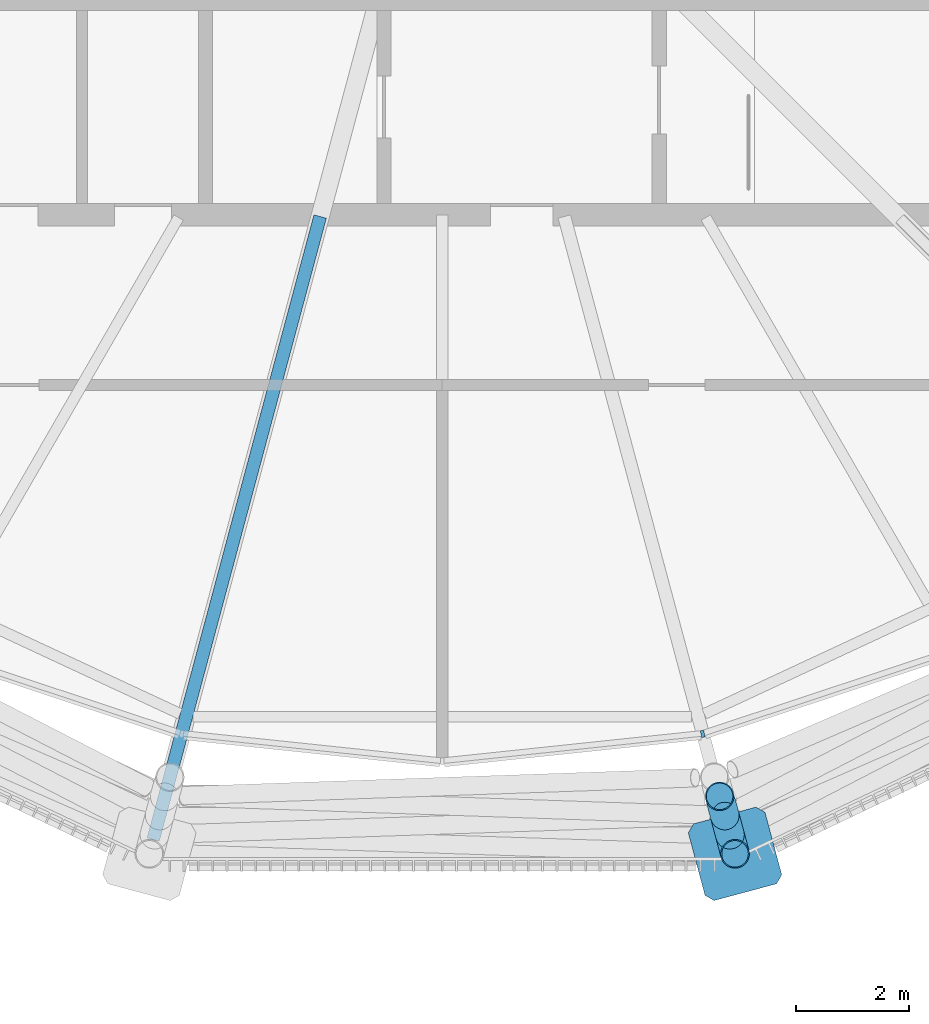
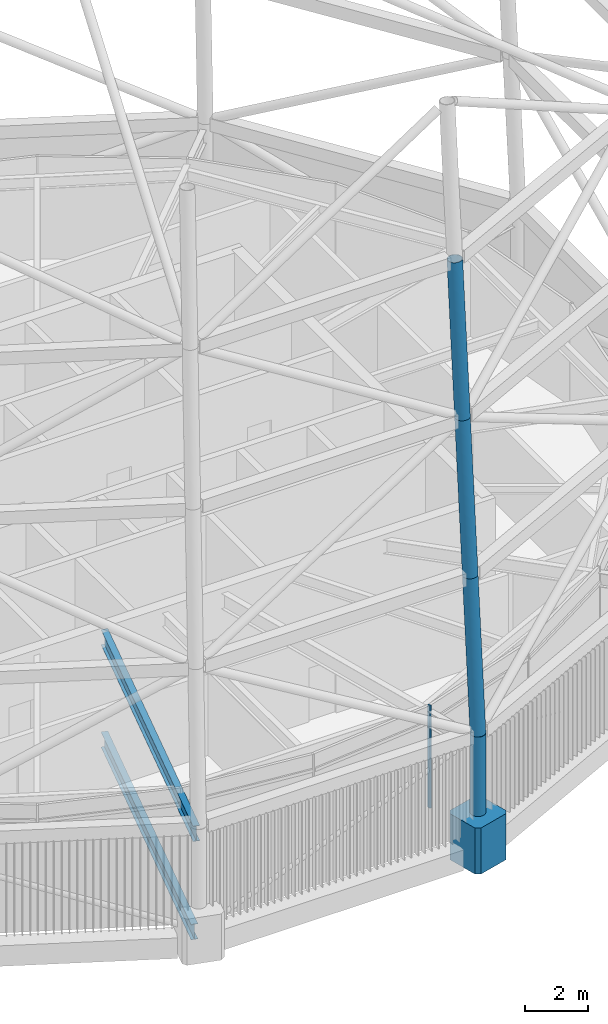
# One storey, part 9 of 71: 6 members, 2 beams, 1 element without a shape of its own.
"""IFC4 building model written with IfcOpenShell, lengths in metres."""

from ifc_helpers import new_model, si_unit, direction, frame, origin, origin_2d, place, context, subcontext, project, spatial, polyline, rectangle, hollow_circle, i_section, outline, extrude, material, material_profile, profile_set, type_object, element, aggregate, save


model = new_model("IFC4")

# Units and contexts
model_context = context("Model", 3, precision=1e-05, world=origin(), true_north=direction((0.0, 1.0)))
body_context = subcontext(model_context, "Body", "Model", "MODEL_VIEW")
ifc_project = project(units=[si_unit("LENGTHUNIT", "METRE"), si_unit("AREAUNIT", "SQUARE_METRE"), si_unit("VOLUMEUNIT", "CUBIC_METRE"), si_unit("PLANEANGLEUNIT", "RADIAN"), si_unit("MASSUNIT", "GRAM", prefix="KILO")], contexts=[model_context])

# Site, building, storey
site_placement = place(None, origin())
site = spatial("IfcSite", under=ifc_project, at=site_placement, CompositionType="ELEMENT")
building_placement = place(site_placement, origin())
building = spatial("IfcBuilding", under=site, at=building_placement, Name="Rimbun Link Towers", CompositionType="ELEMENT")
storey_placement = place(building_placement, frame((0.0, 0.0, 267.60009765625)))
storey = spatial("IfcBuildingStorey", under=building, at=storey_placement, Name="L65", CompositionType="ELEMENT", Elevation=267.60009765625)

# Curtain wall, member
ifc_material_1 = material(Name="Aluminium 6063-T6 louvre wall", Category="aluminium")
curtain_wall_type = type_object("IfcCurtainWallType", Name="CW6 plant floor louvre wall", PredefinedType="NOTDEFINED", material=ifc_material_1)
curtain_wall_placement = place(storey_placement, origin())
curtain_wall = element("IfcCurtainWall", 1, at=curtain_wall_placement, inside=storey, type_object=curtain_wall_type, Name="CW6 L65 T1", PredefinedType="NOTDEFINED")
ifc_material_2 = material(Name="Aluminium 6063-T6", Category="aluminium")
ifc_material_profile_1 = material_profile(ifc_material_2, rectangle(XDim=0.1201171875, YDim=0.06005859375, at=origin_2d()), Name="MULLION 60X120")
ifc_profile_set_1 = profile_set([ifc_material_profile_1], Name="Aluminium 6063-T6")
member_type_1 = type_object("IfcMemberType", Name="CW6 mullion 60X120", PredefinedType="MULLION", material=ifc_profile_set_1)
member_1_placement = place(storey_placement, frame((-27.1572265625, -17.151611328125, 0.0), z_axis=(0.0, 0.0, 1.0), x_axis=(0.210863236685, -0.977515572978, 0.0)))
member_1 = element("IfcMember", 2, at=member_1_placement, type_object=member_type_1, Name="CW6 mullion", PredefinedType="MULLION", context=body_context, shape_type="SweptSolid", body=[
    extrude(rectangle(XDim=0.1201171875, YDim=0.06005859375, at=origin_2d()), origin(), (0.0, 0.0, 1.0), 4.0),
])
aggregate(curtain_wall, [member_1])

# Members
ifc_material_3 = material(Name="Steel S355J2H", Category="steel")
ifc_material_profile_2 = material_profile(ifc_material_3, hollow_circle(Radius=0.25390625, WallThickness=0.02001953125, at=origin_2d()), Name="Crown frame post CHS 508x20")
ifc_profile_set_2 = profile_set([ifc_material_profile_2], Name="Steel S355J2H")
member_type_2 = type_object("IfcMemberType", Name="Crown frame post CHS 508x20", PredefinedType="POST", material=ifc_profile_set_2)
member_2_placement = place(storey_placement, frame((-26.587646484375, -19.266357421875, 0.0), z_axis=(0.0, 0.0, 1.0), x_axis=(1.0, 0.0, 0.0)))
element("IfcMember", 3, at=member_2_placement, inside=storey, type_object=member_type_2, Name="CROWN FRAME post T1 1-09", PredefinedType="POST", context=body_context, shape_type="SweptSolid", body=[
    extrude(hollow_circle(Radius=0.25390625, WallThickness=0.02001953125, at=origin_2d()), origin(), (0.0, 0.0, 1.0), 4.0),
])
for number, where, z_axis, x_axis, name in (
    (4, (-26.587646484375, -19.266357421875, 4.0), (-0.015070401624, 0.056260124661, 0.998302399761), (-0.965944938819, -0.258747705633, 0.0), "CROWN FRAME post T1 2-09"),
    (5, (-26.67822265625, -18.92822265625, 10.0), (-0.015070401624, 0.056260124661, 0.998302399761), (-0.965944938819, -0.258747705633, 0.0), "CROWN FRAME post T1 3-09"),
    (6, (-26.768798828125, -18.590087890625, 16.0), (-0.015070436053, 0.056219632067, 0.998304680409), (-0.96589819818, -0.258922132605, 0.0), "CROWN FRAME post T1 4-09"),
):
    element("IfcMember", number, at=place(storey_placement, frame(where, z_axis=z_axis, x_axis=x_axis)), inside=storey, type_object=member_type_2, Name=name, PredefinedType="POST", context=body_context, shape_type="SweptSolid", body=[
        extrude(hollow_circle(Radius=0.25390625, WallThickness=0.02001953125, at=origin_2d()), origin(), (0.0, 0.0, 1.0), 6.01025390625),
    ])
ifc_material_4 = material(Name="Cast steel G20Mn5+QT, Rp0.2 300 MPa", Category="steel")
ifc_material_profile_3 = material_profile(ifc_material_4, outline(polyline([(0.699951171875, -0.570068359375), (0.699951171875, 0.570068359375), (0.570068359375, 0.699951171875), (-0.570068359375, 0.699951171875), (-0.699951171875, 0.570068359375), (-0.699951171875, -0.570068359375), (-0.570068359375, -0.699951171875), (0.570068359375, -0.699951171875), (0.699951171875, -0.570068359375)])), Name="NODE 1400x1400")
ifc_profile_set_3 = profile_set([ifc_material_profile_3], Name="Cast steel G20Mn5+QT, Rp0.2 300 MPa")
member_type_3 = type_object("IfcMemberType", Name="Diagrid node cast 1400", PredefinedType="USERDEFINED", material=ifc_profile_set_3)
member_3_placement = place(storey_placement, frame((-26.587646484375, -19.266357421875, -0.900146484375), z_axis=(0.0, 0.0, 1.0), x_axis=(0.258819045103, -0.965925826289, 0.0)))
element("IfcMember", 7, at=member_3_placement, inside=storey, type_object=member_type_3, Name="Diagrid node L65 19", ObjectType="Diagrid node", PredefinedType="USERDEFINED", context=body_context, shape_type="SweptSolid", body=[
    extrude(outline(polyline([(0.699951171875, -0.570068359375), (0.699951171875, 0.570068359375), (0.570068359375, 0.699951171875), (-0.570068359375, 0.699951171875), (-0.699951171875, 0.570068359375), (-0.699951171875, -0.570068359375), (-0.570068359375, -0.699951171875), (0.570068359375, -0.699951171875), (0.699951171875, -0.570068359375)])), origin(), (0.0, 0.0, 1.0), 1.800048828125),
])

# Beams
ifc_material_5 = material(Name="Steel S355J2", Category="steel")
ifc_material_profile_4 = material_profile(ifc_material_5, i_section(OverallWidth=0.2275390625, OverallDepth=0.6025390625, WebThickness=0.010498046875, FlangeThickness=0.014892578125, at=origin_2d()), Name="UB 610x229x101")
ifc_profile_set_4 = profile_set([ifc_material_profile_4], Name="Steel S355J2")
beam_type = type_object("IfcBeamType", Name="UB 610x229x101", PredefinedType="BEAM", material=ifc_profile_set_4)
beam_1_placement = place(storey_placement, frame((-33.90185546875, -8.030517578125, -0.50146484375), z_axis=(-0.258813187095, -0.965927395918, 0.0), x_axis=(0.965927395918, -0.258813187095, 0.0)))
element("IfcBeam", 8, at=beam_1_placement, inside=storey, type_object=beam_type, Name="Radial beam T1 L65 17", PredefinedType="BEAM", context=body_context, shape_type="SweptSolid", body=[
    extrude(i_section(OverallWidth=0.2275390625, OverallDepth=0.6025390625, WebThickness=0.010498046875, FlangeThickness=0.014892578125, at=origin_2d()), origin(), (0.0, 0.0, 1.0), 11.132080078125),
])
beam_2_placement = place(storey_placement, frame((-33.90185546875, -8.030517578125, 3.49853515625), z_axis=(-0.258822289697, -0.965924956897, 0.0), x_axis=(0.965924956897, -0.258822289697, 0.0)))
element("IfcBeam", 9, at=beam_2_placement, inside=storey, type_object=beam_type, Name="Radial beam T1 L65 17", PredefinedType="BEAM", context=body_context, shape_type="SweptSolid", body=[
    extrude(i_section(OverallWidth=0.2275390625, OverallDepth=0.6025390625, WebThickness=0.010498046875, FlangeThickness=0.014892578125, at=origin_2d()), origin(), (0.0, 0.0, 1.0), 11.3720703125),
])

save(model, "model.ifc")
